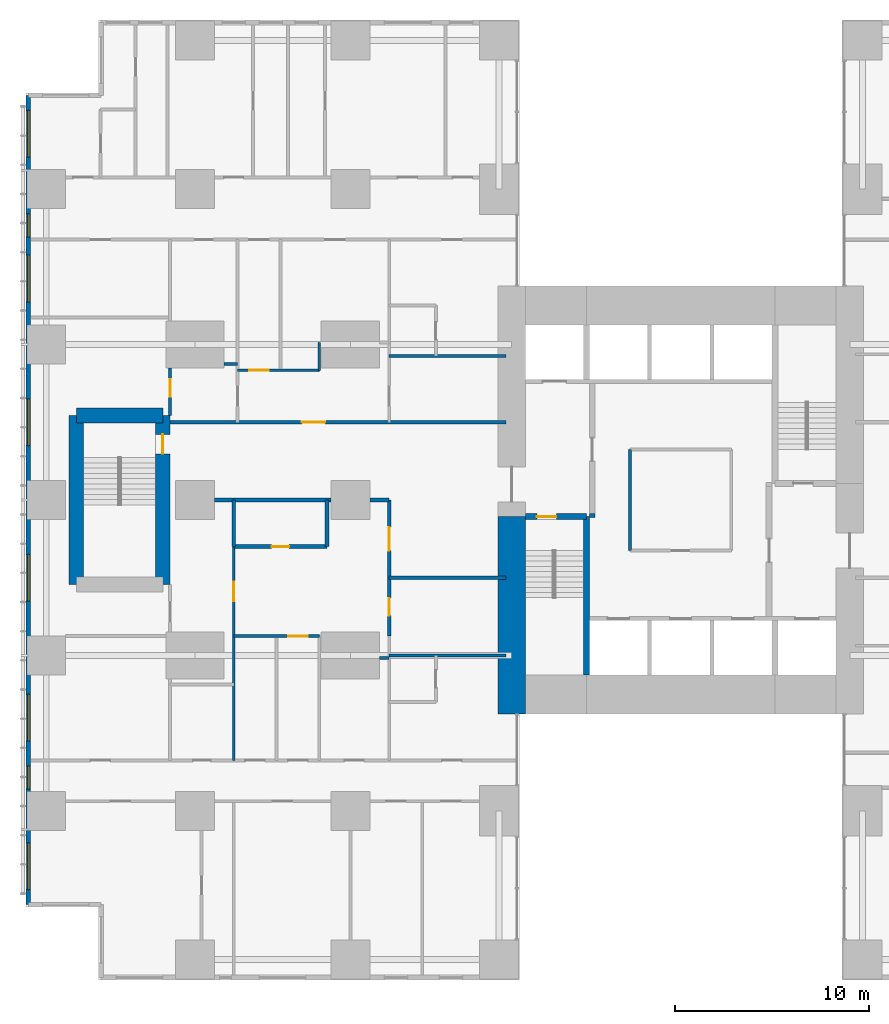
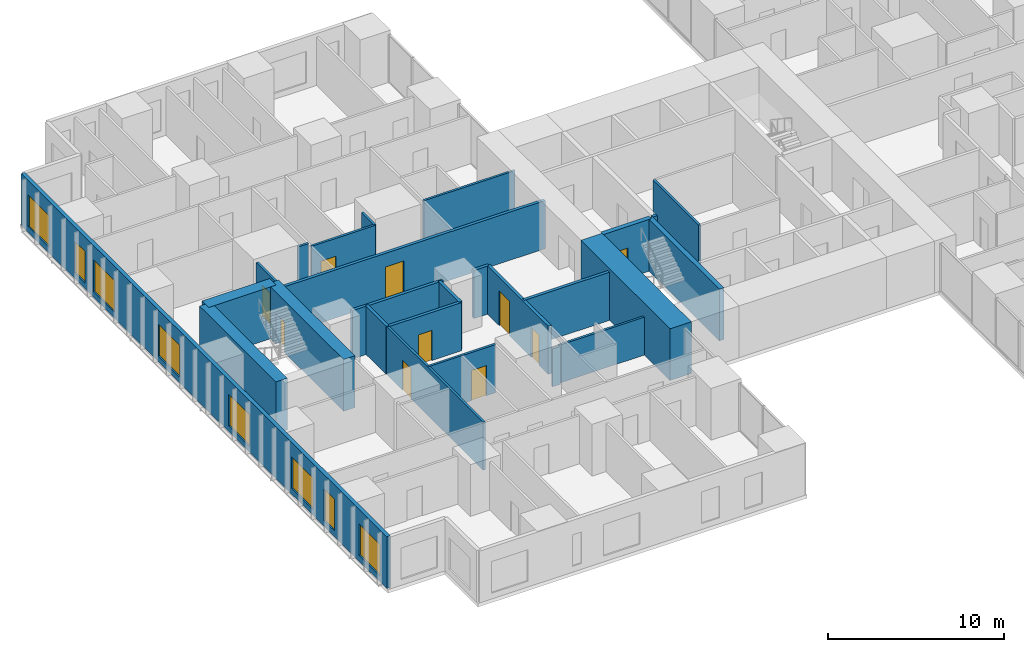
# One storey, part 13 of 20: 26 walls, 10 doors, 8 windows, 18 openings.
"""IFC4 building model written with IfcOpenShell, lengths in metres."""

from ifc_helpers import new_model, si_unit, direction, frame, frame_2d, origin, place, context, subcontext, project, spatial, rectangle, extrude, material, layer, layer_set, type_object, element, fill, save


model = new_model("IFC4")

# Units and contexts
model_context = context("Model", 3, precision=1e-05, world=origin(), true_north=direction((0.0, 1.0)))
body_context = subcontext(model_context, "Body", "Model", "MODEL_VIEW")
ifc_project = project(units=[si_unit("LENGTHUNIT", "METRE"), si_unit("AREAUNIT", "SQUARE_METRE"), si_unit("VOLUMEUNIT", "CUBIC_METRE"), si_unit("PLANEANGLEUNIT", "RADIAN"), si_unit("MASSUNIT", "GRAM", prefix="KILO")], contexts=[model_context])

# Site, building, storey
site_placement = place(None, origin())
site = spatial("IfcSite", under=ifc_project, at=site_placement, CompositionType="ELEMENT")
building_placement = place(site_placement, origin())
building = spatial("IfcBuilding", under=site, at=building_placement, Name="Cleftline Residences", CompositionType="ELEMENT")
storey_placement = place(building_placement, frame((0.0, 0.0, 121.39990234375)))
storey = spatial("IfcBuildingStorey", under=building, at=storey_placement, Name="L31", CompositionType="ELEMENT", Elevation=121.39990234375)

# Walls
ifc_material_1 = material(Name="Concrete B70", Category="concrete")
ifc_layer_1 = layer(ifc_material_1, 1.39990234375)
ifc_layer_set_1 = layer_set([ifc_layer_1], Name="CORE WALL 1400")
wall_type_1 = type_object("IfcWallType", Name="CORE WALL 1400", PredefinedType="SHEAR", material=ifc_layer_set_1)
wall_1_placement = place(storey_placement, frame((24.300048828125, 13.0, 0.0), z_axis=(0.0, 0.0, 1.0), x_axis=(0.0, 1.0, 0.0)))
element("IfcWall", 1, at=wall_1_placement, inside=storey, type_object=wall_type_1, Name="Core wall W0", PredefinedType="SHEAR", context=body_context, shape_type="SweptSolid", body=[
    extrude(rectangle(XDim=10.14990234375, YDim=1.39990234375, at=frame_2d((5.074951171875, 0.0))), origin(), (0.0, 0.0, 1.0), 3.60009765625),
])
ifc_material_2 = material(Name="Concrete B70", Category="concrete")
ifc_layer_2 = layer(ifc_material_2, 0.300048828125)
ifc_layer_set_2 = layer_set([ifc_layer_2], Name="CORE WALL 300")
wall_type_2 = type_object("IfcWallType", Name="CORE WALL 300", PredefinedType="SHEAR", material=ifc_layer_set_2)
wall_2_placement = place(storey_placement, frame((28.14990234375, 15.0, 0.0), z_axis=(0.0, 0.0, 1.0), x_axis=(0.0, 1.0, 0.0)))
element("IfcWall", 2, at=wall_2_placement, inside=storey, type_object=wall_type_2, Name="Core wall SA-E", PredefinedType="SHEAR", context=body_context, shape_type="SweptSolid", body=[
    extrude(rectangle(XDim=8.14990234375, YDim=0.300048828125, at=frame_2d((4.074951171875, 0.0))), origin(), (0.0, 0.0, 1.0), 3.60009765625),
])

# Wall, opening, door
wall_3_placement = place(storey_placement, frame((25.0, 23.14990234375, 0.0), z_axis=(0.0, 0.0, 1.0), x_axis=(1.0, 0.0, 0.0)))
wall_3 = element("IfcWall", 3, at=wall_3_placement, inside=storey, type_object=wall_type_2, Name="Core wall SA-N", PredefinedType="SHEAR", context=body_context, shape_type="SweptSolid", body=[
    extrude(rectangle(XDim=3.14990234375, YDim=0.300048828125, at=frame_2d((1.574951171875, 0.0))), origin(), (0.0, 0.0, 1.0), 3.60009765625),
])
opening_1_placement = place(wall_3_placement, frame((0.60009765625, 0.0, 0.0)))
opening_1 = element("IfcOpeningElement", 4, at=opening_1_placement, cuts=wall_3, Name="Opening D5", PredefinedType="OPENING", context=body_context, shape_type="SweptSolid", body=[
    extrude(rectangle(XDim=1.0, YDim=2.10009765625, at=frame_2d((0.5, 1.050048828125))), frame((0.0, 0.159912109375, 0.0), z_axis=(0.0, -1.0, 0.0), x_axis=(1.0, 0.0, 0.0)), (0.0, 0.0, 1.0), 0.320068359375),
])
ifc_material_3 = material(Name="Steel", Category="steel")
door_type_1 = type_object("IfcDoorType", Name="STAIR DOOR 1000X2100", OperationType="SINGLE_SWING_LEFT", PredefinedType="DOOR", material=ifc_material_3)
door_1_placement = place(opening_1_placement, origin())
door_1 = element("IfcDoor", 5, at=door_1_placement, inside=storey, type_object=door_type_1, Name="Stair A door", OperationType="SINGLE_SWING_RIGHT", OverallHeight=2.10009765625, OverallWidth=1.0, PredefinedType="DOOR", context=body_context, shape_type="SweptSolid", body=[
    extrude(rectangle(XDim=1.0, YDim=2.10009765625, at=frame_2d((0.5, 1.050048828125))), frame((0.0, 0.02490234375, 0.0), z_axis=(0.0, -1.0, 0.0), x_axis=(1.0, 0.0, 0.0)), (0.0, 0.0, 1.0), 0.050048828125),
])
fill(opening_1, door_1)

# Wall, openings, windows
ifc_material_4 = material(Name="Rendered reinforced concrete blockwork", Category="masonry")
ifc_layer_3 = layer(ifc_material_4, 0.25)
ifc_layer_set_3 = layer_set([ifc_layer_3], Name="EXTERNAL WALL 250")
wall_type_3 = type_object("IfcWallType", Name="EXTERNAL WALL 250", PredefinedType="SOLIDWALL", material=ifc_layer_set_3)
wall_4_placement = place(storey_placement, frame((-0.574951171875, 44.824951171875, 0.0), z_axis=(0.0, 0.0, 1.0), x_axis=(0.0, -1.0, 0.0)))
wall_4 = element("IfcWall", 6, at=wall_4_placement, inside=storey, type_object=wall_type_3, Name="External wall", PredefinedType="SOLIDWALL", context=body_context, shape_type="SweptSolid", body=[
    extrude(rectangle(XDim=41.64990234375, YDim=0.25, at=frame_2d((20.824951171875, 0.0))), origin(), (0.0, 0.0, 1.0), 3.60009765625),
])
opening_2_placement = place(wall_4_placement, frame((0.77490234375, 0.0, 0.39990234375)))
opening_2 = element("IfcOpeningElement", 7, at=opening_2_placement, cuts=wall_4, Name="Opening W12", PredefinedType="OPENING", context=body_context, shape_type="SweptSolid", body=[
    extrude(rectangle(XDim=2.39990234375, YDim=2.199951171875, at=frame_2d((1.199951171875, 1.10009765625))), frame((0.0, 0.135009765625, 0.0), z_axis=(0.0, -1.0, 0.0), x_axis=(1.0, 0.0, 0.0)), (0.0, 0.0, 1.0), 0.27001953125),
])
opening_3_placement = place(wall_4_placement, frame((6.10009765625, 0.0, 0.39990234375)))
opening_3 = element("IfcOpeningElement", 8, at=opening_3_placement, cuts=wall_4, Name="Opening W11", PredefinedType="OPENING", context=body_context, shape_type="SweptSolid", body=[
    extrude(rectangle(XDim=1.199951171875, YDim=2.199951171875, at=frame_2d((0.60009765625, 1.10009765625))), frame((0.0, 0.135009765625, 0.0), z_axis=(0.0, -1.0, 0.0), x_axis=(1.0, 0.0, 0.0)), (0.0, 0.0, 1.0), 0.27001953125),
])
opening_4_placement = place(wall_4_placement, frame((8.22509765625, 0.0, 0.39990234375)))
opening_4 = element("IfcOpeningElement", 9, at=opening_4_placement, cuts=wall_4, Name="Opening W12", PredefinedType="OPENING", context=body_context, shape_type="SweptSolid", body=[
    extrude(rectangle(XDim=2.39990234375, YDim=2.199951171875, at=frame_2d((1.199951171875, 1.10009765625))), frame((0.0, 0.135009765625, 0.0), z_axis=(0.0, -1.0, 0.0), x_axis=(1.0, 0.0, 0.0)), (0.0, 0.0, 1.0), 0.27001953125),
])
opening_5_placement = place(wall_4_placement, frame((15.625, 0.0, 0.39990234375)))
opening_5 = element("IfcOpeningElement", 10, at=opening_5_placement, cuts=wall_4, Name="Opening W12", PredefinedType="OPENING", context=body_context, shape_type="SweptSolid", body=[
    extrude(rectangle(XDim=2.39990234375, YDim=2.199951171875, at=frame_2d((1.199951171875, 1.10009765625))), frame((0.0, 0.135009765625, 0.0), z_axis=(0.0, -1.0, 0.0), x_axis=(1.0, 0.0, 0.0)), (0.0, 0.0, 1.0), 0.27001953125),
])
opening_6_placement = place(wall_4_placement, frame((23.625, 0.0, 0.39990234375)))
opening_6 = element("IfcOpeningElement", 11, at=opening_6_placement, cuts=wall_4, Name="Opening W12", PredefinedType="OPENING", context=body_context, shape_type="SweptSolid", body=[
    extrude(rectangle(XDim=2.39990234375, YDim=2.199951171875, at=frame_2d((1.199951171875, 1.10009765625))), frame((0.0, 0.135009765625, 0.0), z_axis=(0.0, -1.0, 0.0), x_axis=(1.0, 0.0, 0.0)), (0.0, 0.0, 1.0), 0.27001953125),
])
opening_7_placement = place(wall_4_placement, frame((30.824951171875, 0.0, 0.39990234375)))
opening_7 = element("IfcOpeningElement", 12, at=opening_7_placement, cuts=wall_4, Name="Opening W12", PredefinedType="OPENING", context=body_context, shape_type="SweptSolid", body=[
    extrude(rectangle(XDim=2.39990234375, YDim=2.199951171875, at=frame_2d((1.199951171875, 1.10009765625))), frame((0.0, 0.135009765625, 0.0), z_axis=(0.0, -1.0, 0.0), x_axis=(1.0, 0.0, 0.0)), (0.0, 0.0, 1.0), 0.27001953125),
])
opening_8_placement = place(wall_4_placement, frame((34.5, 0.0, 0.39990234375)))
opening_8 = element("IfcOpeningElement", 13, at=opening_8_placement, cuts=wall_4, Name="Opening W11", PredefinedType="OPENING", context=body_context, shape_type="SweptSolid", body=[
    extrude(rectangle(XDim=1.199951171875, YDim=2.199951171875, at=frame_2d((0.60009765625, 1.10009765625))), frame((0.0, 0.135009765625, 0.0), z_axis=(0.0, -1.0, 0.0), x_axis=(1.0, 0.0, 0.0)), (0.0, 0.0, 1.0), 0.27001953125),
])
opening_9_placement = place(wall_4_placement, frame((38.47509765625, 0.0, 0.39990234375)))
opening_9 = element("IfcOpeningElement", 14, at=opening_9_placement, cuts=wall_4, Name="Opening W12", PredefinedType="OPENING", context=body_context, shape_type="SweptSolid", body=[
    extrude(rectangle(XDim=2.39990234375, YDim=2.199951171875, at=frame_2d((1.199951171875, 1.10009765625))), frame((0.0, 0.135009765625, 0.0), z_axis=(0.0, -1.0, 0.0), x_axis=(1.0, 0.0, 0.0)), (0.0, 0.0, 1.0), 0.27001953125),
])
ifc_material_5 = material(Name="Aluminium frame, clear double glazing", Category="aluminium")
window_type_1 = type_object("IfcWindowType", Name="WINDOW 1200X2200", PartitioningType="DOUBLE_PANEL_VERTICAL", PredefinedType="WINDOW", material=ifc_material_5)
window_1_placement = place(opening_3_placement, origin())
window_1 = element("IfcWindow", 15, at=window_1_placement, inside=storey, type_object=window_type_1, Name="Window", OverallHeight=2.199951171875, OverallWidth=1.199951171875, PartitioningType="SINGLE_PANEL", PredefinedType="WINDOW", context=body_context, shape_type="SweptSolid", body=[
    extrude(rectangle(XDim=1.199951171875, YDim=2.199951171875, at=frame_2d((0.60009765625, 1.10009765625))), frame((0.0, 0.030029296875, 0.0), z_axis=(0.0, -1.0, 0.0), x_axis=(1.0, 0.0, 0.0)), (0.0, 0.0, 1.0), 0.06005859375),
])
fill(opening_3, window_1)
window_2_placement = place(opening_8_placement, origin())
window_2 = element("IfcWindow", 16, at=window_2_placement, inside=storey, type_object=window_type_1, Name="Window", OverallHeight=2.199951171875, OverallWidth=1.199951171875, PartitioningType="SINGLE_PANEL", PredefinedType="WINDOW", context=body_context, shape_type="SweptSolid", body=[
    extrude(rectangle(XDim=1.199951171875, YDim=2.199951171875, at=frame_2d((0.60009765625, 1.10009765625))), frame((0.0, 0.030029296875, 0.0), z_axis=(0.0, -1.0, 0.0), x_axis=(1.0, 0.0, 0.0)), (0.0, 0.0, 1.0), 0.06005859375),
])
fill(opening_8, window_2)
ifc_material_6 = material(Name="Aluminium frame, clear double glazing", Category="aluminium")
window_type_2 = type_object("IfcWindowType", Name="WINDOW 2400X2200", PartitioningType="DOUBLE_PANEL_VERTICAL", PredefinedType="WINDOW", material=ifc_material_6)
window_3_placement = place(opening_2_placement, origin())
window_3 = element("IfcWindow", 17, at=window_3_placement, inside=storey, type_object=window_type_2, Name="Window", OverallHeight=2.199951171875, OverallWidth=2.39990234375, PartitioningType="SINGLE_PANEL", PredefinedType="WINDOW", context=body_context, shape_type="SweptSolid", body=[
    extrude(rectangle(XDim=2.39990234375, YDim=2.199951171875, at=frame_2d((1.199951171875, 1.10009765625))), frame((0.0, 0.030029296875, 0.0), z_axis=(0.0, -1.0, 0.0), x_axis=(1.0, 0.0, 0.0)), (0.0, 0.0, 1.0), 0.06005859375),
])
fill(opening_2, window_3)
window_4_placement = place(opening_4_placement, origin())
window_4 = element("IfcWindow", 18, at=window_4_placement, inside=storey, type_object=window_type_2, Name="Window", OverallHeight=2.199951171875, OverallWidth=2.39990234375, PartitioningType="SINGLE_PANEL", PredefinedType="WINDOW", context=body_context, shape_type="SweptSolid", body=[
    extrude(rectangle(XDim=2.39990234375, YDim=2.199951171875, at=frame_2d((1.199951171875, 1.10009765625))), frame((0.0, 0.030029296875, 0.0), z_axis=(0.0, -1.0, 0.0), x_axis=(1.0, 0.0, 0.0)), (0.0, 0.0, 1.0), 0.06005859375),
])
fill(opening_4, window_4)
window_5_placement = place(opening_5_placement, origin())
window_5 = element("IfcWindow", 19, at=window_5_placement, inside=storey, type_object=window_type_2, Name="Window", OverallHeight=2.199951171875, OverallWidth=2.39990234375, PartitioningType="SINGLE_PANEL", PredefinedType="WINDOW", context=body_context, shape_type="SweptSolid", body=[
    extrude(rectangle(XDim=2.39990234375, YDim=2.199951171875, at=frame_2d((1.199951171875, 1.10009765625))), frame((0.0, 0.030029296875, 0.0), z_axis=(0.0, -1.0, 0.0), x_axis=(1.0, 0.0, 0.0)), (0.0, 0.0, 1.0), 0.06005859375),
])
fill(opening_5, window_5)
window_6_placement = place(opening_6_placement, origin())
window_6 = element("IfcWindow", 20, at=window_6_placement, inside=storey, type_object=window_type_2, Name="Window", OverallHeight=2.199951171875, OverallWidth=2.39990234375, PartitioningType="SINGLE_PANEL", PredefinedType="WINDOW", context=body_context, shape_type="SweptSolid", body=[
    extrude(rectangle(XDim=2.39990234375, YDim=2.199951171875, at=frame_2d((1.199951171875, 1.10009765625))), frame((0.0, 0.030029296875, 0.0), z_axis=(0.0, -1.0, 0.0), x_axis=(1.0, 0.0, 0.0)), (0.0, 0.0, 1.0), 0.06005859375),
])
fill(opening_6, window_6)
window_7_placement = place(opening_7_placement, origin())
window_7 = element("IfcWindow", 21, at=window_7_placement, inside=storey, type_object=window_type_2, Name="Window", OverallHeight=2.199951171875, OverallWidth=2.39990234375, PartitioningType="SINGLE_PANEL", PredefinedType="WINDOW", context=body_context, shape_type="SweptSolid", body=[
    extrude(rectangle(XDim=2.39990234375, YDim=2.199951171875, at=frame_2d((1.199951171875, 1.10009765625))), frame((0.0, 0.030029296875, 0.0), z_axis=(0.0, -1.0, 0.0), x_axis=(1.0, 0.0, 0.0)), (0.0, 0.0, 1.0), 0.06005859375),
])
fill(opening_7, window_7)
window_8_placement = place(opening_9_placement, origin())
window_8 = element("IfcWindow", 22, at=window_8_placement, inside=storey, type_object=window_type_2, Name="Window", OverallHeight=2.199951171875, OverallWidth=2.39990234375, PartitioningType="SINGLE_PANEL", PredefinedType="WINDOW", context=body_context, shape_type="SweptSolid", body=[
    extrude(rectangle(XDim=2.39990234375, YDim=2.199951171875, at=frame_2d((1.199951171875, 1.10009765625))), frame((0.0, 0.030029296875, 0.0), z_axis=(0.0, -1.0, 0.0), x_axis=(1.0, 0.0, 0.0)), (0.0, 0.0, 1.0), 0.06005859375),
])
fill(opening_9, window_8)

# Wall
ifc_material_7 = material(Name="Concrete blockwork, fire rated", Category="masonry")
ifc_layer_4 = layer(ifc_material_7, 0.199951171875)
ifc_layer_set_4 = layer_set([ifc_layer_4], Name="FIRE WALL 200")
wall_type_4 = type_object("IfcWallType", Name="FIRE WALL 200", PredefinedType="PARTITIONING", material=ifc_layer_set_4)
wall_5_placement = place(storey_placement, frame((18.0, 20.0, 0.0), z_axis=(0.0, 0.0, 1.0), x_axis=(1.0, 0.0, 0.0)))
element("IfcWall", 23, at=wall_5_placement, inside=storey, type_object=wall_type_4, Name="Fire separating wall", PredefinedType="PARTITIONING", context=body_context, shape_type="SweptSolid", body=[
    extrude(rectangle(XDim=6.0, YDim=0.199951171875, at=frame_2d((3.0, 0.0))), origin(), (0.0, 0.0, 1.0), 3.35009765625),
])

# Wall, opening, door
wall_6_placement = place(storey_placement, frame((10.0, 21.60009765625, 0.0), z_axis=(0.0, 0.0, 1.0), x_axis=(1.0, 0.0, 0.0)))
wall_6 = element("IfcWall", 24, at=wall_6_placement, inside=storey, type_object=wall_type_4, Name="Fire separating wall", PredefinedType="PARTITIONING", context=body_context, shape_type="SweptSolid", body=[
    extrude(rectangle(XDim=4.800048828125, YDim=0.199951171875, at=frame_2d((2.39990234375, 0.0))), origin(), (0.0, 0.0, 1.0), 3.35009765625),
])
opening_10_placement = place(wall_6_placement, frame((1.949951171875, 0.0, 0.0)))
opening_10 = element("IfcOpeningElement", 25, at=opening_10_placement, cuts=wall_6, Name="Opening D1F30", PredefinedType="OPENING", context=body_context, shape_type="SweptSolid", body=[
    extrude(rectangle(XDim=0.89990234375, YDim=2.10009765625, at=frame_2d((0.449951171875, 1.050048828125))), frame((0.0, 0.10986328125, 0.0), z_axis=(0.0, -1.0, 0.0), x_axis=(1.0, 0.0, 0.0)), (0.0, 0.0, 1.0), 0.219970703125),
])
ifc_material_8 = material(Name="Timber veneer on solid core", Category="wood")
door_type_2 = type_object("IfcDoorType", Name="DOOR 900X2100 EI 30", OperationType="SINGLE_SWING_LEFT", PredefinedType="DOOR", material=ifc_material_8)
door_2_placement = place(opening_10_placement, origin())
door_2 = element("IfcDoor", 26, at=door_2_placement, inside=storey, type_object=door_type_2, Name="Door to cloakroom wc", OperationType="SINGLE_SWING_LEFT", OverallHeight=2.10009765625, OverallWidth=0.89990234375, PredefinedType="DOOR", context=body_context, shape_type="SweptSolid", body=[
    extrude(rectangle(XDim=0.89990234375, YDim=2.10009765625, at=frame_2d((0.449951171875, 1.050048828125))), frame((0.0, 0.02490234375, 0.0), z_axis=(0.0, -1.0, 0.0), x_axis=(1.0, 0.0, 0.0)), (0.0, 0.0, 1.0), 0.050048828125),
])
fill(opening_10, door_2)

# Walls
wall_7_placement = place(storey_placement, frame((9.0, 24.0, 0.0), z_axis=(0.0, 0.0, 1.0), x_axis=(1.0, 0.0, 0.0)))
element("IfcWall", 27, at=wall_7_placement, inside=storey, type_object=wall_type_4, Name="Fire separating wall", PredefinedType="PARTITIONING", context=body_context, shape_type="SweptSolid", body=[
    extrude(rectangle(XDim=6.0, YDim=0.199951171875, at=frame_2d((3.0, 0.0))), origin(), (0.0, 0.0, 1.0), 3.35009765625),
])
wall_8_placement = place(storey_placement, frame((17.0, 24.0, 0.0), z_axis=(0.0, 0.0, 1.0), x_axis=(1.0, 0.0, 0.0)))
element("IfcWall", 28, at=wall_8_placement, inside=storey, type_object=wall_type_4, Name="Fire separating wall", PredefinedType="PARTITIONING", context=body_context, shape_type="SweptSolid", body=[
    extrude(rectangle(XDim=1.0, YDim=0.199951171875, at=frame_2d((0.5, 0.0))), origin(), (0.0, 0.0, 1.0), 3.35009765625),
])

# Wall, opening, door
wall_9_placement = place(storey_placement, frame((6.72509765625, 28.0, 0.0), z_axis=(0.0, 0.0, 1.0), x_axis=(1.0, 0.0, 0.0)))
wall_9 = element("IfcWall", 29, at=wall_9_placement, inside=storey, type_object=wall_type_4, Name="Fire separating wall", PredefinedType="PARTITIONING", context=body_context, shape_type="SweptSolid", body=[
    extrude(rectangle(XDim=17.27490234375, YDim=0.199951171875, at=frame_2d((8.637451171875, 0.0))), origin(), (0.0, 0.0, 1.0), 3.35009765625),
])
opening_11_placement = place(wall_9_placement, frame((6.77490234375, 0.0, 0.0)))
opening_11 = element("IfcOpeningElement", 30, at=opening_11_placement, cuts=wall_9, Name="Opening D4", PredefinedType="OPENING", context=body_context, shape_type="SweptSolid", body=[
    extrude(rectangle(XDim=1.199951171875, YDim=2.39990234375, at=frame_2d((0.60009765625, 1.199951171875))), frame((0.0, 0.10986328125, 0.0), z_axis=(0.0, -1.0, 0.0), x_axis=(1.0, 0.0, 0.0)), (0.0, 0.0, 1.0), 0.219970703125),
])
ifc_material_9 = material(Name="Timber veneer on solid core", Category="wood")
door_type_3 = type_object("IfcDoorType", Name="APARTMENT ENTRANCE DOOR 1200X2400", OperationType="SINGLE_SWING_RIGHT", PredefinedType="DOOR", material=ifc_material_9)
door_3_placement = place(opening_11_placement, origin())
door_3 = element("IfcDoor", 31, at=door_3_placement, inside=storey, type_object=door_type_3, Name="Door to residence entrance (gallery)", OperationType="SINGLE_SWING_RIGHT", OverallHeight=2.39990234375, OverallWidth=1.199951171875, PredefinedType="DOOR", context=body_context, shape_type="SweptSolid", body=[
    extrude(rectangle(XDim=1.199951171875, YDim=2.39990234375, at=frame_2d((0.60009765625, 1.199951171875))), frame((0.0, 0.02490234375, 0.0), z_axis=(0.0, -1.0, 0.0), x_axis=(1.0, 0.0, 0.0)), (0.0, 0.0, 1.0), 0.050048828125),
])
fill(opening_11, door_3)

# Walls
for number, where, z_axis, x_axis, name in (
    (32, (10.0, 21.60009765625, 0.0), (0.0, 0.0, 1.0), (0.0, 1.0, 0.0), "Fire separating wall"),
    (33, (14.800048828125, 21.60009765625, 0.0), (0.0, 0.0, 1.0), (0.0, 1.0, 0.0), "Fire separating wall"),
):
    element("IfcWall", number, at=place(storey_placement, frame(where, z_axis=z_axis, x_axis=x_axis)), inside=storey, type_object=wall_type_4, Name=name, PredefinedType="PARTITIONING", context=body_context, shape_type="SweptSolid", body=[
        extrude(rectangle(XDim=2.39990234375, YDim=0.199951171875, at=frame_2d((1.199951171875, 0.0))), origin(), (0.0, 0.0, 1.0), 3.35009765625),
    ])

# Wall, openings, doors
wall_10_placement = place(storey_placement, frame((18.0, 17.0, 0.0), z_axis=(0.0, 0.0, 1.0), x_axis=(0.0, 1.0, 0.0)))
wall_10 = element("IfcWall", 34, at=wall_10_placement, inside=storey, type_object=wall_type_4, Name="Fire separating wall", PredefinedType="PARTITIONING", context=body_context, shape_type="SweptSolid", body=[
    extrude(rectangle(XDim=7.0, YDim=0.199951171875, at=frame_2d((3.5, 0.0))), origin(), (0.0, 0.0, 1.0), 3.35009765625),
])
opening_12_placement = place(wall_10_placement, frame((4.39990234375, 0.0, 0.0)))
opening_12 = element("IfcOpeningElement", 35, at=opening_12_placement, cuts=wall_10, Name="Opening D4", PredefinedType="OPENING", context=body_context, shape_type="SweptSolid", body=[
    extrude(rectangle(XDim=1.199951171875, YDim=2.39990234375, at=frame_2d((0.60009765625, 1.199951171875))), frame((0.0, 0.10986328125, 0.0), z_axis=(0.0, -1.0, 0.0), x_axis=(1.0, 0.0, 0.0)), (0.0, 0.0, 1.0), 0.219970703125),
])
opening_13_placement = place(wall_10_placement, frame((1.050048828125, 0.0, 0.0)))
opening_13 = element("IfcOpeningElement", 36, at=opening_13_placement, cuts=wall_10, Name="Opening D1F30", PredefinedType="OPENING", context=body_context, shape_type="SweptSolid", body=[
    extrude(rectangle(XDim=0.89990234375, YDim=2.10009765625, at=frame_2d((0.449951171875, 1.050048828125))), frame((0.0, 0.10986328125, 0.0), z_axis=(0.0, -1.0, 0.0), x_axis=(1.0, 0.0, 0.0)), (0.0, 0.0, 1.0), 0.219970703125),
])
door_4_placement = place(opening_12_placement, origin())
door_4 = element("IfcDoor", 37, at=door_4_placement, inside=storey, type_object=door_type_3, Name="Door to residence entrance foyer", OperationType="SINGLE_SWING_LEFT", OverallHeight=2.39990234375, OverallWidth=1.199951171875, PredefinedType="DOOR", context=body_context, shape_type="SweptSolid", body=[
    extrude(rectangle(XDim=1.199951171875, YDim=2.39990234375, at=frame_2d((0.60009765625, 1.199951171875))), frame((0.0, 0.02490234375, 0.0), z_axis=(0.0, -1.0, 0.0), x_axis=(1.0, 0.0, 0.0)), (0.0, 0.0, 1.0), 0.050048828125),
])
fill(opening_12, door_4)
door_5_placement = place(opening_13_placement, origin())
door_5 = element("IfcDoor", 38, at=door_5_placement, inside=storey, type_object=door_type_2, Name="Door to laundry", OperationType="SINGLE_SWING_RIGHT", OverallHeight=2.10009765625, OverallWidth=0.89990234375, PredefinedType="DOOR", context=body_context, shape_type="SweptSolid", body=[
    extrude(rectangle(XDim=0.89990234375, YDim=2.10009765625, at=frame_2d((0.449951171875, 1.050048828125))), frame((0.0, 0.02490234375, 0.0), z_axis=(0.0, -1.0, 0.0), x_axis=(1.0, 0.0, 0.0)), (0.0, 0.0, 1.0), 0.050048828125),
])
fill(opening_13, door_5)

# Walls
wall_11_placement = place(storey_placement, frame((28.300048828125, 23.199951171875, 0.0), z_axis=(0.0, 0.0, 1.0), x_axis=(1.0, 0.0, 0.0)))
element("IfcWall", 39, at=wall_11_placement, inside=storey, type_object=wall_type_4, Name="Fire separating wall", PredefinedType="PARTITIONING", context=body_context, shape_type="SweptSolid", body=[
    extrude(rectangle(XDim=0.300048828125, YDim=0.199951171875, at=frame_2d((0.14990234375, 0.0))), origin(), (0.0, 0.0, 1.0), 3.60009765625),
])
ifc_material_10 = material(Name="Gypsum board on steel studs", Category="steel")
ifc_layer_5 = layer(ifc_material_10, 0.14990234375)
ifc_layer_set_5 = layer_set([ifc_layer_5], Name="PARTITION 150")
wall_type_5 = type_object("IfcWallType", Name="PARTITION 150", PredefinedType="PARTITIONING", material=ifc_layer_set_5)
wall_12_placement = place(storey_placement, frame((17.5, 15.875, 0.0), z_axis=(0.0, 0.0, 1.0), x_axis=(1.0, 0.0, 0.0)))
element("IfcWall", 40, at=wall_12_placement, inside=storey, type_object=wall_type_5, Name="Partition", PredefinedType="PARTITIONING", context=body_context, shape_type="SweptSolid", body=[
    extrude(rectangle(XDim=0.5, YDim=0.14990234375, at=frame_2d((0.25, 0.0))), origin(), (0.0, 0.0, 1.0), 2.634033203125),
])
wall_13_placement = place(storey_placement, frame((18.0, 16.0, 0.0), z_axis=(0.0, 0.0, 1.0), x_axis=(1.0, 0.0, 0.0)))
element("IfcWall", 41, at=wall_13_placement, inside=storey, type_object=wall_type_5, Name="Partition", PredefinedType="PARTITIONING", context=body_context, shape_type="SweptSolid", body=[
    extrude(rectangle(XDim=6.0, YDim=0.14990234375, at=frame_2d((3.0, 0.0))), origin(), (0.0, 0.0, 1.0), 2.634033203125),
])

# Wall, opening, door
wall_14_placement = place(storey_placement, frame((10.0, 17.0, 0.0), z_axis=(0.0, 0.0, 1.0), x_axis=(1.0, 0.0, 0.0)))
wall_14 = element("IfcWall", 42, at=wall_14_placement, inside=storey, type_object=wall_type_5, Name="Partition", PredefinedType="PARTITIONING", context=body_context, shape_type="SweptSolid", body=[
    extrude(rectangle(XDim=4.39990234375, YDim=0.14990234375, at=frame_2d((2.199951171875, 0.0))), origin(), (0.0, 0.0, 1.0), 3.35009765625),
])
opening_14_placement = place(wall_14_placement, frame((2.800048828125, 0.0, 0.0)))
opening_14 = element("IfcOpeningElement", 43, at=opening_14_placement, cuts=wall_14, Name="Opening D2", PredefinedType="OPENING", context=body_context, shape_type="SweptSolid", body=[
    extrude(rectangle(XDim=1.0, YDim=2.10009765625, at=frame_2d((0.5, 1.050048828125))), frame((0.0, 0.0849609375, 0.0), z_axis=(0.0, -1.0, 0.0), x_axis=(1.0, 0.0, 0.0)), (0.0, 0.0, 1.0), 0.169921875),
])
ifc_material_11 = material(Name="Timber veneer on solid core", Category="wood")
door_type_4 = type_object("IfcDoorType", Name="DOOR 1000X2100", OperationType="SINGLE_SWING_LEFT", PredefinedType="DOOR", material=ifc_material_11)
door_6_placement = place(opening_14_placement, origin())
door_6 = element("IfcDoor", 44, at=door_6_placement, inside=storey, type_object=door_type_4, Name="Door to residence passage", OperationType="SINGLE_SWING_LEFT", OverallHeight=2.10009765625, OverallWidth=1.0, PredefinedType="DOOR", context=body_context, shape_type="SweptSolid", body=[
    extrude(rectangle(XDim=1.0, YDim=2.10009765625, at=frame_2d((0.5, 1.050048828125))), frame((0.0, 0.02490234375, 0.0), z_axis=(0.0, -1.0, 0.0), x_axis=(1.0, 0.0, 0.0)), (0.0, 0.0, 1.0), 0.050048828125),
])
fill(opening_14, door_6)

wall_15_placement = place(storey_placement, frame((10.199951171875, 30.675048828125, 0.0), z_axis=(0.0, 0.0, 1.0), x_axis=(1.0, 0.0, 0.0)))
wall_15 = element("IfcWall", 45, at=wall_15_placement, inside=storey, type_object=wall_type_5, Name="Partition", PredefinedType="PARTITIONING", context=body_context, shape_type="SweptSolid", body=[
    extrude(rectangle(XDim=4.199951171875, YDim=0.14990234375, at=frame_2d((2.10009765625, 0.0))), origin(), (0.0, 0.0, 1.0), 3.35009765625),
])
opening_15_placement = place(wall_15_placement, frame((0.60009765625, 0.0, 0.0)))
opening_15 = element("IfcOpeningElement", 46, at=opening_15_placement, cuts=wall_15, Name="Opening D2", PredefinedType="OPENING", context=body_context, shape_type="SweptSolid", body=[
    extrude(rectangle(XDim=1.0, YDim=2.10009765625, at=frame_2d((0.5, 1.050048828125))), frame((0.0, 0.0849609375, 0.0), z_axis=(0.0, -1.0, 0.0), x_axis=(1.0, 0.0, 0.0)), (0.0, 0.0, 1.0), 0.169921875),
])
door_7_placement = place(opening_15_placement, origin())
door_7 = element("IfcDoor", 47, at=door_7_placement, inside=storey, type_object=door_type_4, Name="Door to residence passage", OperationType="SINGLE_SWING_RIGHT", OverallHeight=2.10009765625, OverallWidth=1.0, PredefinedType="DOOR", context=body_context, shape_type="SweptSolid", body=[
    extrude(rectangle(XDim=1.0, YDim=2.10009765625, at=frame_2d((0.5, 1.050048828125))), frame((0.0, 0.02490234375, 0.0), z_axis=(0.0, -1.0, 0.0), x_axis=(1.0, 0.0, 0.0)), (0.0, 0.0, 1.0), 0.050048828125),
])
fill(opening_15, door_7)

# Walls
wall_16_placement = place(storey_placement, frame((9.5, 31.0, 0.0), z_axis=(0.0, 0.0, 1.0), x_axis=(1.0, 0.0, 0.0)))
element("IfcWall", 48, at=wall_16_placement, inside=storey, type_object=wall_type_5, Name="Partition", PredefinedType="PARTITIONING", context=body_context, shape_type="SweptSolid", body=[
    extrude(rectangle(XDim=0.699951171875, YDim=0.14990234375, at=frame_2d((0.35009765625, 0.0))), origin(), (0.0, 0.0, 1.0), 3.35009765625),
])
wall_17_placement = place(storey_placement, frame((18.0, 31.39990234375, 0.0), z_axis=(0.0, 0.0, 1.0), x_axis=(1.0, 0.0, 0.0)))
element("IfcWall", 49, at=wall_17_placement, inside=storey, type_object=wall_type_5, Name="Partition", PredefinedType="PARTITIONING", context=body_context, shape_type="SweptSolid", body=[
    extrude(rectangle(XDim=6.0, YDim=0.14990234375, at=frame_2d((3.0, 0.0))), origin(), (0.0, 0.0, 1.0), 3.35009765625),
])

# Wall, opening, door
wall_18_placement = place(storey_placement, frame((6.72509765625, 28.35009765625, 0.0), z_axis=(0.0, 0.0, 1.0), x_axis=(0.0, 1.0, 0.0)))
wall_18 = element("IfcWall", 50, at=wall_18_placement, inside=storey, type_object=wall_type_5, Name="Partition", PredefinedType="PARTITIONING", context=body_context, shape_type="SweptSolid", body=[
    extrude(rectangle(XDim=2.449951171875, YDim=0.14990234375, at=frame_2d((1.22509765625, 0.0))), origin(), (0.0, 0.0, 1.0), 3.35009765625),
])
opening_16_placement = place(wall_18_placement, frame((0.96240234375, 0.0, 0.0)))
opening_16 = element("IfcOpeningElement", 51, at=opening_16_placement, cuts=wall_18, Name="Opening D1", PredefinedType="OPENING", context=body_context, shape_type="SweptSolid", body=[
    extrude(rectangle(XDim=0.89990234375, YDim=2.10009765625, at=frame_2d((0.449951171875, 1.050048828125))), frame((0.0, 0.0849609375, 0.0), z_axis=(0.0, -1.0, 0.0), x_axis=(1.0, 0.0, 0.0)), (0.0, 0.0, 1.0), 0.169921875),
])
ifc_material_12 = material(Name="Timber veneer on solid core", Category="wood")
door_type_5 = type_object("IfcDoorType", Name="DOOR 900X2100", OperationType="SINGLE_SWING_LEFT", PredefinedType="DOOR", material=ifc_material_12)
door_8_placement = place(opening_16_placement, origin())
door_8 = element("IfcDoor", 52, at=door_8_placement, inside=storey, type_object=door_type_5, Name="Door to drying loggia", OperationType="SINGLE_SWING_LEFT", OverallHeight=2.10009765625, OverallWidth=0.89990234375, PredefinedType="DOOR", context=body_context, shape_type="SweptSolid", body=[
    extrude(rectangle(XDim=0.89990234375, YDim=2.10009765625, at=frame_2d((0.449951171875, 1.050048828125))), frame((0.0, 0.02490234375, 0.0), z_axis=(0.0, -1.0, 0.0), x_axis=(1.0, 0.0, 0.0)), (0.0, 0.0, 1.0), 0.050048828125),
])
fill(opening_16, door_8)

wall_19_placement = place(storey_placement, frame((10.0, 10.60009765625, 0.0), z_axis=(0.0, 0.0, 1.0), x_axis=(0.0, 1.0, 0.0)))
wall_19 = element("IfcWall", 53, at=wall_19_placement, inside=storey, type_object=wall_type_5, Name="Partition", PredefinedType="PARTITIONING", context=body_context, shape_type="SweptSolid", body=[
    extrude(rectangle(XDim=11.0, YDim=0.14990234375, at=frame_2d((5.5, 0.0))), origin(), (0.0, 0.0, 1.0), 3.35009765625),
])
opening_17_placement = place(wall_19_placement, frame((8.199951171875, 0.0, 0.0)))
opening_17 = element("IfcOpeningElement", 54, at=opening_17_placement, cuts=wall_19, Name="Opening D2F30", PredefinedType="OPENING", context=body_context, shape_type="SweptSolid", body=[
    extrude(rectangle(XDim=1.0, YDim=2.10009765625, at=frame_2d((0.5, 1.050048828125))), frame((0.0, 0.0849609375, 0.0), z_axis=(0.0, -1.0, 0.0), x_axis=(1.0, 0.0, 0.0)), (0.0, 0.0, 1.0), 0.169921875),
])
ifc_material_13 = material(Name="Timber veneer on solid core", Category="wood")
door_type_6 = type_object("IfcDoorType", Name="DOOR 1000X2100 EI 30", OperationType="SINGLE_SWING_LEFT", PredefinedType="DOOR", material=ifc_material_13)
door_9_placement = place(opening_17_placement, origin())
door_9 = element("IfcDoor", 55, at=door_9_placement, inside=storey, type_object=door_type_6, Name="Door to residence lobby", OperationType="SINGLE_SWING_LEFT", OverallHeight=2.10009765625, OverallWidth=1.0, PredefinedType="DOOR", context=body_context, shape_type="SweptSolid", body=[
    extrude(rectangle(XDim=1.0, YDim=2.10009765625, at=frame_2d((0.5, 1.050048828125))), frame((0.0, 0.02490234375, 0.0), z_axis=(0.0, -1.0, 0.0), x_axis=(1.0, 0.0, 0.0)), (0.0, 0.0, 1.0), 0.050048828125),
])
fill(opening_17, door_9)

# Walls
wall_20_placement = place(storey_placement, frame((14.39990234375, 30.675048828125, 0.0), z_axis=(0.0, 0.0, 1.0), x_axis=(0.0, 1.0, 0.0)))
element("IfcWall", 56, at=wall_20_placement, inside=storey, type_object=wall_type_5, Name="Partition", PredefinedType="PARTITIONING", context=body_context, shape_type="SweptSolid", body=[
    extrude(rectangle(XDim=1.425048828125, YDim=0.14990234375, at=frame_2d((0.71240234375, 0.0))), origin(), (0.0, 0.0, 1.0), 3.35009765625),
])
ifc_material_14 = material(Name="Fire-resisting gypsum board on steel studs", Category="steel")
ifc_layer_6 = layer(ifc_material_14, 0.14990234375)
ifc_layer_set_6 = layer_set([ifc_layer_6], Name="PARTITION 150 EI 60")
wall_type_6 = type_object("IfcWallType", Name="PARTITION 150 EI 60", PredefinedType="PARTITIONING", material=ifc_layer_set_6)
wall_21_placement = place(storey_placement, frame((30.39990234375, 21.39990234375, 0.0), z_axis=(0.0, 0.0, 1.0), x_axis=(0.0, 1.0, 0.0)))
element("IfcWall", 57, at=wall_21_placement, inside=storey, type_object=wall_type_6, Name="Core room partition", PredefinedType="PARTITIONING", context=body_context, shape_type="SweptSolid", body=[
    extrude(rectangle(XDim=5.2001953125, YDim=0.14990234375, at=frame_2d((2.60009765625, 0.0))), origin(), (0.0, 0.0, 1.0), 3.35009765625),
])

# Wall, opening, door
ifc_material_15 = material(Name="Concrete B70", Category="concrete")
ifc_layer_7 = layer(ifc_material_15, 0.75)
ifc_layer_set_7 = layer_set([ifc_layer_7], Name="SHEAR WALL 750")
wall_type_7 = type_object("IfcWallType", Name="SHEAR WALL 750", PredefinedType="SHEAR", material=ifc_layer_set_7)
wall_22_placement = place(storey_placement, frame((6.35009765625, 19.64990234375, 0.0), z_axis=(0.0, 0.0, 1.0), x_axis=(0.0, 1.0, 0.0)))
wall_22 = element("IfcWall", 58, at=wall_22_placement, inside=storey, type_object=wall_type_7, Name="Wing shear wall", PredefinedType="SHEAR", context=body_context, shape_type="SweptSolid", body=[
    extrude(rectangle(XDim=8.7001953125, YDim=0.75, at=frame_2d((4.35009765625, 0.0))), origin(), (0.0, 0.0, 1.0), 3.60009765625),
])
opening_18_placement = place(wall_22_placement, frame((6.72509765625, 0.0, 0.0)))
opening_18 = element("IfcOpeningElement", 59, at=opening_18_placement, cuts=wall_22, Name="Opening D5", PredefinedType="OPENING", context=body_context, shape_type="SweptSolid", body=[
    extrude(rectangle(XDim=1.0, YDim=2.10009765625, at=frame_2d((0.5, 1.050048828125))), frame((0.0, 0.385009765625, 0.0), z_axis=(0.0, -1.0, 0.0), x_axis=(1.0, 0.0, 0.0)), (0.0, 0.0, 1.0), 0.77001953125),
])
door_10_placement = place(opening_18_placement, origin())
door_10 = element("IfcDoor", 60, at=door_10_placement, inside=storey, type_object=door_type_1, Name="Stair W door", OperationType="SINGLE_SWING_LEFT", OverallHeight=2.10009765625, OverallWidth=1.0, PredefinedType="DOOR", context=body_context, shape_type="SweptSolid", body=[
    extrude(rectangle(XDim=1.0, YDim=2.10009765625, at=frame_2d((0.5, 1.050048828125))), frame((0.0, 0.02490234375, 0.0), z_axis=(0.0, -1.0, 0.0), x_axis=(1.0, 0.0, 0.0)), (0.0, 0.0, 1.0), 0.050048828125),
])
fill(opening_18, door_10)

# Walls
wall_23_placement = place(storey_placement, frame((6.35009765625, 28.35009765625, 0.0), z_axis=(0.0, 0.0, 1.0), x_axis=(-1.0, 0.0, 0.0)))
element("IfcWall", 61, at=wall_23_placement, inside=storey, type_object=wall_type_7, Name="Wing shear wall", PredefinedType="SHEAR", context=body_context, shape_type="SweptSolid", body=[
    extrude(rectangle(XDim=4.4501953125, YDim=0.75, at=frame_2d((2.22509765625, 0.0))), origin(), (0.0, 0.0, 1.0), 3.60009765625),
])
wall_24_placement = place(storey_placement, frame((1.89990234375, 28.35009765625, 0.0), z_axis=(0.0, 0.0, 1.0), x_axis=(0.0, -1.0, 0.0)))
element("IfcWall", 62, at=wall_24_placement, inside=storey, type_object=wall_type_7, Name="Wing shear wall", PredefinedType="SHEAR", context=body_context, shape_type="SweptSolid", body=[
    extrude(rectangle(XDim=8.7001953125, YDim=0.75, at=frame_2d((4.35009765625, 0.0))), origin(), (0.0, 0.0, 1.0), 3.60009765625),
])

save(model, "model.ifc")
